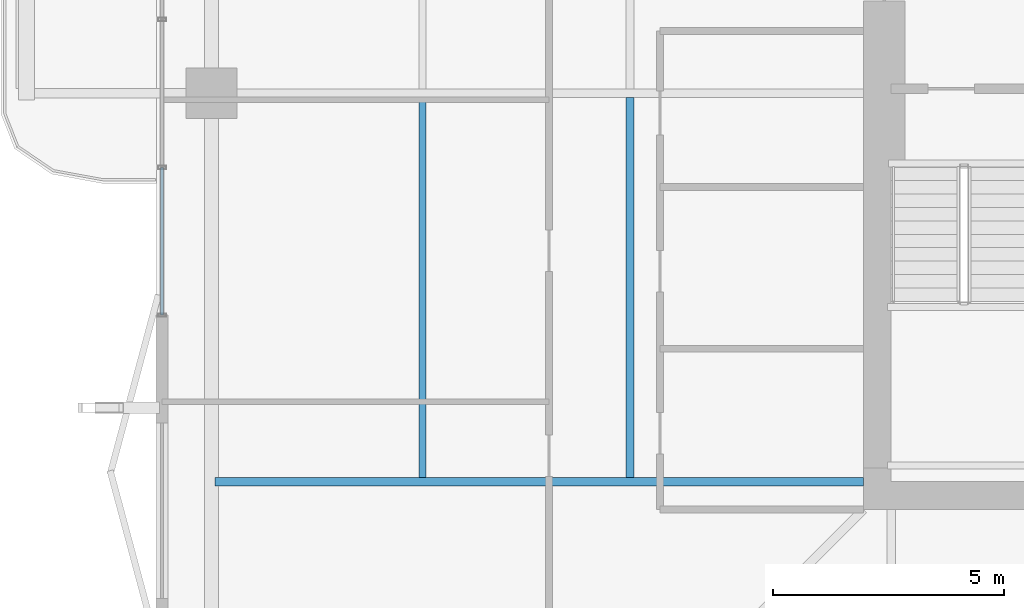
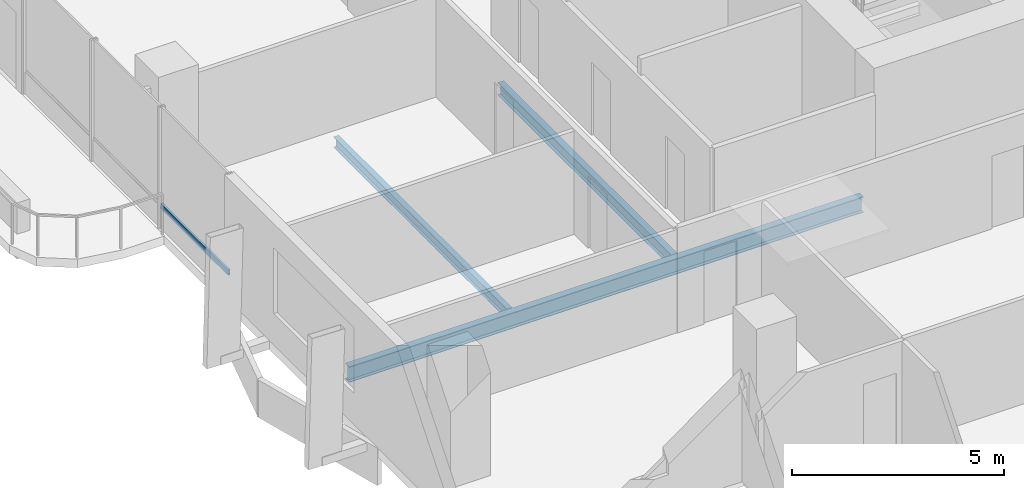
# One storey, part 5 of 25: 3 beams, 1 member, 1 element without a shape of its own.
"""IFC4 building model written with IfcOpenShell, lengths in metres."""

from ifc_helpers import new_model, si_unit, direction, frame, origin, origin_2d, place, context, subcontext, project, spatial, hollow_rectangle, i_section, extrude, material, layer, layer_set, material_profile, profile_set, type_object, element, aggregate, save


model = new_model("IFC4")

# Units and contexts
model_context = context("Model", 3, precision=1e-05, world=origin(), true_north=direction((0.0, 1.0)))
body_context = subcontext(model_context, "Body", "Model", "MODEL_VIEW")
ifc_project = project(units=[si_unit("LENGTHUNIT", "METRE"), si_unit("AREAUNIT", "SQUARE_METRE"), si_unit("VOLUMEUNIT", "CUBIC_METRE"), si_unit("PLANEANGLEUNIT", "RADIAN"), si_unit("MASSUNIT", "GRAM", prefix="KILO")], contexts=[model_context])

# Site, building, storey
site_placement = place(None, origin())
site = spatial("IfcSite", under=ifc_project, at=site_placement, CompositionType="ELEMENT")
building_placement = place(site_placement, origin())
building = spatial("IfcBuilding", under=site, at=building_placement, Name="Belovzor Exchange Tower", CompositionType="ELEMENT")
storey_placement = place(building_placement, frame((0.0, 0.0, 160.800048828125)))
storey = spatial("IfcBuildingStorey", under=building, at=storey_placement, Name="L39", CompositionType="ELEMENT", Elevation=160.800048828125)

# Beams
ifc_material_1 = material(Name="Steel S355", Category="steel")
ifc_material_profile_1 = material_profile(ifc_material_1, i_section(OverallWidth=0.169921875, OverallDepth=0.360107421875, WebThickness=0.008056640625, FlangeThickness=0.0126953125, at=origin_2d()))
ifc_profile_set_1 = profile_set([ifc_material_profile_1], Name="Steel S355")
beam_type_1 = type_object("IfcBeamType", Name="Secondary Infill Floor Joist IPE 360", PredefinedType="BEAM", material=ifc_profile_set_1)
beam_1_placement = place(storey_placement, frame((14.7509765625, 20.4951171875, -0.43505859375), z_axis=(0.0, 1.0, 0.0), x_axis=(-1.0, 0.0, 0.0)))
element("IfcBeam", 1, at=beam_1_placement, inside=storey, type_object=beam_type_1, Name="FJ-360 Secondary Infill Floor Joist IPE 360", PredefinedType="BEAM", context=body_context, shape_type="SweptSolid", body=[
    extrude(i_section(OverallWidth=0.169921875, OverallDepth=0.360107421875, WebThickness=0.008056640625, FlangeThickness=0.0126953125, at=origin_2d()), origin(), (0.0, 0.0, 1.0), 8.2099609375),
])
ifc_material_2 = material(Name="Steel S355", Category="steel")
ifc_material_profile_2 = material_profile(ifc_material_2, i_section(OverallWidth=0.14990234375, OverallDepth=0.300048828125, WebThickness=0.007080078125, FlangeThickness=0.0107421875, at=origin_2d()))
ifc_profile_set_2 = profile_set([ifc_material_profile_2], Name="Steel S355")
beam_type_2 = type_object("IfcBeamType", Name="Secondary Trim Floor Joist IPE 300", PredefinedType="BEAM", material=ifc_profile_set_2)
beam_2_placement = place(storey_placement, frame((10.262939453125, 20.4951171875, -0.405029296875), z_axis=(0.0, 1.0, 0.0), x_axis=(-1.0, 0.0, 0.0)))
element("IfcBeam", 2, at=beam_2_placement, inside=storey, type_object=beam_type_2, Name="FJ-300 Secondary Trim Floor Joist IPE 300", PredefinedType="BEAM", context=body_context, shape_type="SweptSolid", body=[
    extrude(i_section(OverallWidth=0.14990234375, OverallDepth=0.300048828125, WebThickness=0.007080078125, FlangeThickness=0.0107421875, at=origin_2d()), origin(), (0.0, 0.0, 1.0), 8.2099609375),
])

# Curtain wall, member
ifc_material_3 = material(Name="Anodised Aluminium Framing", Category="aluminium")
ifc_layer = layer(ifc_material_3, 0.179931640625)
ifc_layer_set = layer_set([ifc_layer], Name="Anodised Aluminium Framing")
curtain_wall_type = type_object("IfcCurtainWallType", Name="Recessed Loggia Low-Iron Triple-Glazed Curtain Wall", PredefinedType="NOTDEFINED", material=ifc_layer_set)
curtain_wall_placement = place(storey_placement, origin())
curtain_wall = element("IfcCurtainWall", 3, at=curtain_wall_placement, inside=storey, type_object=curtain_wall_type, Name="CW3 Recessed Loggia Low-Iron Triple-Glazed Curtain Wall L39", PredefinedType="NOTDEFINED")
ifc_material_4 = material(Name="Steel S355", Category="steel")
ifc_material_profile_3 = material_profile(ifc_material_4, hollow_rectangle(XDim=0.06005859375, YDim=0.14990234375, WallThickness=0.00390625, at=origin_2d()))
ifc_profile_set_3 = profile_set([ifc_material_profile_3], Name="Steel S355")
member_type = type_object("IfcMemberType", Name="Thermally Broken Curtain Wall Transom 150x60", PredefinedType="USERDEFINED", material=ifc_profile_set_3)
member_placement = place(storey_placement, frame((4.6298828125, 24.008056640625, 0.62890625), z_axis=(0.0, 1.0, 0.0), x_axis=(-1.0, 0.0, 0.0)))
member = element("IfcMember", 4, at=member_placement, type_object=member_type, Name="CW-T150 Curtain Wall Transom 1", ObjectType="TRANSOM", PredefinedType="USERDEFINED", context=body_context, shape_type="SweptSolid", body=[
    extrude(hollow_rectangle(XDim=0.06005859375, YDim=0.14990234375, WallThickness=0.00390625, at=origin_2d()), origin(), (0.0, 0.0, 1.0), 3.183837890625),
])
aggregate(curtain_wall, [member])

# Beam
ifc_material_5 = material(Name="Steel S355", Category="steel")
ifc_material_profile_4 = material_profile(ifc_material_5, i_section(OverallWidth=0.18994140625, OverallDepth=0.449951171875, WebThickness=0.009521484375, FlangeThickness=0.0146484375, at=origin_2d()))
ifc_profile_set_4 = profile_set([ifc_material_profile_4], Name="Steel S355")
beam_type_3 = type_object("IfcBeamType", Name="Zone 2-4 Radial Composite Floor Beam IPE 450", PredefinedType="BEAM", material=ifc_profile_set_4)
beam_3_placement = place(storey_placement, frame((19.800048828125, 20.39990234375, -0.47998046875), z_axis=(-1.0, 0.0, 0.0), x_axis=(0.0, -1.0, 0.0)))
element("IfcBeam", 5, at=beam_3_placement, inside=storey, type_object=beam_type_3, Name="FB-450 Zone 2-4 Radial Composite Floor Beam IPE 450", PredefinedType="BEAM", context=body_context, shape_type="SweptSolid", body=[
    extrude(i_section(OverallWidth=0.18994140625, OverallDepth=0.449951171875, WebThickness=0.009521484375, FlangeThickness=0.0146484375, at=origin_2d()), origin(), (0.0, 0.0, 1.0), 14.025146484375),
])

save(model, "model.ifc")
